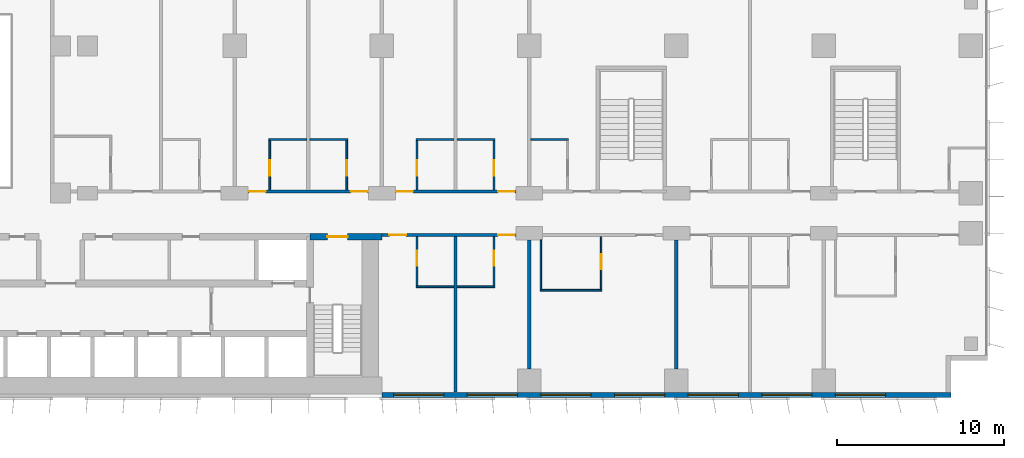
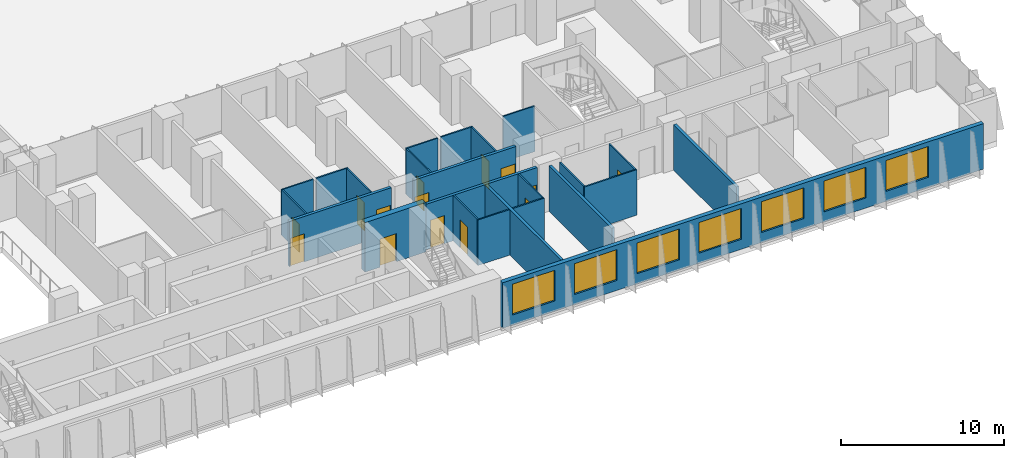
# One storey, part 12 of 23: 24 walls, 14 doors, 7 windows, 21 openings.
"""IFC4 building model written with IfcOpenShell, lengths in metres."""

from ifc_helpers import new_model, si_unit, direction, frame, frame_2d, origin, place, context, subcontext, project, spatial, rectangle, extrude, material, layer, layer_set, type_object, element, fill, save


model = new_model("IFC4")

# Units and contexts
model_context = context("Model", 3, precision=1e-05, world=origin(), true_north=direction((0.0, 1.0)))
body_context = subcontext(model_context, "Body", "Model", "MODEL_VIEW")
ifc_project = project(units=[si_unit("LENGTHUNIT", "METRE"), si_unit("AREAUNIT", "SQUARE_METRE"), si_unit("VOLUMEUNIT", "CUBIC_METRE"), si_unit("PLANEANGLEUNIT", "RADIAN"), si_unit("MASSUNIT", "GRAM", prefix="KILO")], contexts=[model_context])

# Site, building, storey
site_placement = place(None, origin())
site = spatial("IfcSite", under=ifc_project, at=site_placement, CompositionType="ELEMENT")
building_placement = place(site_placement, origin())
building = spatial("IfcBuilding", under=site, at=building_placement, Name="Kemantara Hotel Tower", CompositionType="ELEMENT")
storey_placement = place(building_placement, frame((0.0, 0.0, 34.0)))
storey = spatial("IfcBuildingStorey", under=building, at=storey_placement, Name="L06", CompositionType="ELEMENT", Elevation=34.0)

# Wall, openings, windows
ifc_material_1 = material(Name="Bronze anodised aluminium cladding on insulated steel stud wall", Category="steel")
ifc_layer_1 = layer(ifc_material_1, 0.300048828125)
ifc_layer_set_1 = layer_set([ifc_layer_1], Name="Bronze anodised aluminium cladding on insulated steel stud wall")
wall_type_1 = type_object("IfcWallType", Name="BRONZE METAL-CLAD EXTERNAL WALL 300", PredefinedType="STANDARD", material=ifc_layer_set_1)
wall_1_placement = place(storey_placement, frame((45.0, 0.14990234375, 0.0), z_axis=(0.0, 0.0, 1.0), x_axis=(1.0, 0.0, 0.0)))
wall_1 = element("IfcWall", 1, at=wall_1_placement, inside=storey, type_object=wall_type_1, Name="EXTERNAL WALL L06 T1-R01-3", PredefinedType="STANDARD", context=body_context, shape_type="SweptSolid", body=[
    extrude(rectangle(XDim=34.0, YDim=0.300048828125, at=frame_2d((17.0, 0.0))), origin(), (0.0, 0.0, 1.0), 3.39990234375),
])
opening_1_placement = place(wall_1_placement, frame((0.699951171875, 0.0, 0.75)))
opening_1 = element("IfcOpeningElement", 2, at=opening_1_placement, cuts=wall_1, Name="Opening W1", PredefinedType="OPENING", context=body_context, shape_type="SweptSolid", body=[
    extrude(rectangle(XDim=3.0, YDim=2.300048828125, at=frame_2d((1.5, 1.14990234375))), frame((0.0, 0.159912109375, 0.0), z_axis=(0.0, -1.0, 0.0), x_axis=(1.0, 0.0, 0.0)), (0.0, 0.0, 1.0), 0.320068359375),
])
opening_2_placement = place(wall_1_placement, frame((5.10009765625, 0.0, 0.75)))
opening_2 = element("IfcOpeningElement", 3, at=opening_2_placement, cuts=wall_1, Name="Opening W1", PredefinedType="OPENING", context=body_context, shape_type="SweptSolid", body=[
    extrude(rectangle(XDim=3.0, YDim=2.300048828125, at=frame_2d((1.5, 1.14990234375))), frame((0.0, 0.159912109375, 0.0), z_axis=(0.0, -1.0, 0.0), x_axis=(1.0, 0.0, 0.0)), (0.0, 0.0, 1.0), 0.320068359375),
])
opening_3_placement = place(wall_1_placement, frame((9.5, 0.0, 0.75)))
opening_3 = element("IfcOpeningElement", 4, at=opening_3_placement, cuts=wall_1, Name="Opening W1", PredefinedType="OPENING", context=body_context, shape_type="SweptSolid", body=[
    extrude(rectangle(XDim=3.0, YDim=2.300048828125, at=frame_2d((1.5, 1.14990234375))), frame((0.0, 0.159912109375, 0.0), z_axis=(0.0, -1.0, 0.0), x_axis=(1.0, 0.0, 0.0)), (0.0, 0.0, 1.0), 0.320068359375),
])
opening_4_placement = place(wall_1_placement, frame((13.89990234375, 0.0, 0.75)))
opening_4 = element("IfcOpeningElement", 5, at=opening_4_placement, cuts=wall_1, Name="Opening W1", PredefinedType="OPENING", context=body_context, shape_type="SweptSolid", body=[
    extrude(rectangle(XDim=3.0, YDim=2.300048828125, at=frame_2d((1.5, 1.14990234375))), frame((0.0, 0.159912109375, 0.0), z_axis=(0.0, -1.0, 0.0), x_axis=(1.0, 0.0, 0.0)), (0.0, 0.0, 1.0), 0.320068359375),
])
opening_5_placement = place(wall_1_placement, frame((18.300048828125, 0.0, 0.75)))
opening_5 = element("IfcOpeningElement", 6, at=opening_5_placement, cuts=wall_1, Name="Opening W1", PredefinedType="OPENING", context=body_context, shape_type="SweptSolid", body=[
    extrude(rectangle(XDim=3.0, YDim=2.300048828125, at=frame_2d((1.5, 1.14990234375))), frame((0.0, 0.159912109375, 0.0), z_axis=(0.0, -1.0, 0.0), x_axis=(1.0, 0.0, 0.0)), (0.0, 0.0, 1.0), 0.320068359375),
])
opening_6_placement = place(wall_1_placement, frame((22.699951171875, 0.0, 0.75)))
opening_6 = element("IfcOpeningElement", 7, at=opening_6_placement, cuts=wall_1, Name="Opening W1", PredefinedType="OPENING", context=body_context, shape_type="SweptSolid", body=[
    extrude(rectangle(XDim=3.0, YDim=2.300048828125, at=frame_2d((1.5, 1.14990234375))), frame((0.0, 0.159912109375, 0.0), z_axis=(0.0, -1.0, 0.0), x_axis=(1.0, 0.0, 0.0)), (0.0, 0.0, 1.0), 0.320068359375),
])
opening_7_placement = place(wall_1_placement, frame((27.10009765625, 0.0, 0.75)))
opening_7 = element("IfcOpeningElement", 8, at=opening_7_placement, cuts=wall_1, Name="Opening W1", PredefinedType="OPENING", context=body_context, shape_type="SweptSolid", body=[
    extrude(rectangle(XDim=3.0, YDim=2.300048828125, at=frame_2d((1.5, 1.14990234375))), frame((0.0, 0.159912109375, 0.0), z_axis=(0.0, -1.0, 0.0), x_axis=(1.0, 0.0, 0.0)), (0.0, 0.0, 1.0), 0.320068359375),
])
ifc_material_2 = material(Name="Low-E tinted double insulated glass in bronze anodised aluminium frame", Category="aluminium")
window_type = type_object("IfcWindowType", Name="CHICAGO WINDOW, TRIPLE PANEL 3000x2300", PartitioningType="TRIPLE_PANEL_VERTICAL", PredefinedType="WINDOW", material=ifc_material_2)
window_1_placement = place(opening_1_placement, origin())
window_1 = element("IfcWindow", 9, at=window_1_placement, inside=storey, type_object=window_type, Name="CHICAGO WINDOW L06 T1-R01-450", OverallHeight=2.300048828125, OverallWidth=3.0, PartitioningType="SINGLE_PANEL", PredefinedType="WINDOW", context=body_context, shape_type="SweptSolid", body=[
    extrude(rectangle(XDim=3.0, YDim=2.300048828125, at=frame_2d((1.5, 1.14990234375))), frame((0.0, 0.030029296875, 0.0), z_axis=(0.0, -1.0, 0.0), x_axis=(1.0, 0.0, 0.0)), (0.0, 0.0, 1.0), 0.06005859375),
])
fill(opening_1, window_1)
window_2_placement = place(opening_2_placement, origin())
window_2 = element("IfcWindow", 10, at=window_2_placement, inside=storey, type_object=window_type, Name="CHICAGO WINDOW L06 T1-R01-494", OverallHeight=2.300048828125, OverallWidth=3.0, PartitioningType="SINGLE_PANEL", PredefinedType="WINDOW", context=body_context, shape_type="SweptSolid", body=[
    extrude(rectangle(XDim=3.0, YDim=2.300048828125, at=frame_2d((1.5, 1.14990234375))), frame((0.0, 0.030029296875, 0.0), z_axis=(0.0, -1.0, 0.0), x_axis=(1.0, 0.0, 0.0)), (0.0, 0.0, 1.0), 0.06005859375),
])
fill(opening_2, window_2)
window_3_placement = place(opening_3_placement, origin())
window_3 = element("IfcWindow", 11, at=window_3_placement, inside=storey, type_object=window_type, Name="CHICAGO WINDOW L06 T1-R01-538", OverallHeight=2.300048828125, OverallWidth=3.0, PartitioningType="SINGLE_PANEL", PredefinedType="WINDOW", context=body_context, shape_type="SweptSolid", body=[
    extrude(rectangle(XDim=3.0, YDim=2.300048828125, at=frame_2d((1.5, 1.14990234375))), frame((0.0, 0.030029296875, 0.0), z_axis=(0.0, -1.0, 0.0), x_axis=(1.0, 0.0, 0.0)), (0.0, 0.0, 1.0), 0.06005859375),
])
fill(opening_3, window_3)
window_4_placement = place(opening_4_placement, origin())
window_4 = element("IfcWindow", 12, at=window_4_placement, inside=storey, type_object=window_type, Name="CHICAGO WINDOW L06 T1-R01-582", OverallHeight=2.300048828125, OverallWidth=3.0, PartitioningType="SINGLE_PANEL", PredefinedType="WINDOW", context=body_context, shape_type="SweptSolid", body=[
    extrude(rectangle(XDim=3.0, YDim=2.300048828125, at=frame_2d((1.5, 1.14990234375))), frame((0.0, 0.030029296875, 0.0), z_axis=(0.0, -1.0, 0.0), x_axis=(1.0, 0.0, 0.0)), (0.0, 0.0, 1.0), 0.06005859375),
])
fill(opening_4, window_4)
window_5_placement = place(opening_5_placement, origin())
window_5 = element("IfcWindow", 13, at=window_5_placement, inside=storey, type_object=window_type, Name="CHICAGO WINDOW L06 T1-R01-626", OverallHeight=2.300048828125, OverallWidth=3.0, PartitioningType="SINGLE_PANEL", PredefinedType="WINDOW", context=body_context, shape_type="SweptSolid", body=[
    extrude(rectangle(XDim=3.0, YDim=2.300048828125, at=frame_2d((1.5, 1.14990234375))), frame((0.0, 0.030029296875, 0.0), z_axis=(0.0, -1.0, 0.0), x_axis=(1.0, 0.0, 0.0)), (0.0, 0.0, 1.0), 0.06005859375),
])
fill(opening_5, window_5)
window_6_placement = place(opening_6_placement, origin())
window_6 = element("IfcWindow", 14, at=window_6_placement, inside=storey, type_object=window_type, Name="CHICAGO WINDOW L06 T1-R01-670", OverallHeight=2.300048828125, OverallWidth=3.0, PartitioningType="SINGLE_PANEL", PredefinedType="WINDOW", context=body_context, shape_type="SweptSolid", body=[
    extrude(rectangle(XDim=3.0, YDim=2.300048828125, at=frame_2d((1.5, 1.14990234375))), frame((0.0, 0.030029296875, 0.0), z_axis=(0.0, -1.0, 0.0), x_axis=(1.0, 0.0, 0.0)), (0.0, 0.0, 1.0), 0.06005859375),
])
fill(opening_6, window_6)
window_7_placement = place(opening_7_placement, origin())
window_7 = element("IfcWindow", 15, at=window_7_placement, inside=storey, type_object=window_type, Name="CHICAGO WINDOW L06 T1-R01-714", OverallHeight=2.300048828125, OverallWidth=3.0, PartitioningType="SINGLE_PANEL", PredefinedType="WINDOW", context=body_context, shape_type="SweptSolid", body=[
    extrude(rectangle(XDim=3.0, YDim=2.300048828125, at=frame_2d((1.5, 1.14990234375))), frame((0.0, 0.030029296875, 0.0), z_axis=(0.0, -1.0, 0.0), x_axis=(1.0, 0.0, 0.0)), (0.0, 0.0, 1.0), 0.06005859375),
])
fill(opening_7, window_7)

# Wall, opening, door
ifc_material_3 = material(Name="Concrete fc 70 MPa", Category="concrete")
ifc_layer_2 = layer(ifc_material_3, 0.39990234375)
ifc_layer_set_2 = layer_set([ifc_layer_2], Name="Concrete fc 70 MPa")
wall_type_2 = type_object("IfcWallType", Name="CORE WALL 400 FC70", PredefinedType="SHEAR", material=ifc_layer_set_2)
wall_2_placement = place(storey_placement, frame((40.699951171875, 9.60009765625, 0.0), z_axis=(0.0, 0.0, 1.0), x_axis=(1.0, 0.0, 0.0)))
wall_2 = element("IfcWall", 16, at=wall_2_placement, inside=storey, type_object=wall_type_2, Name="CORE WALL CW-N2", PredefinedType="SHEAR", context=body_context, shape_type="SweptSolid", body=[
    extrude(rectangle(XDim=4.300048828125, YDim=0.39990234375, at=frame_2d((2.14990234375, 0.0))), origin(), (0.0, 0.0, 1.0), 3.699951171875),
])
opening_8_placement = place(wall_2_placement, frame((1.050048828125, 0.0, 0.0)))
opening_8 = element("IfcOpeningElement", 17, at=opening_8_placement, cuts=wall_2, Name="Opening C08-ST2-C", PredefinedType="OPENING", context=body_context, shape_type="SweptSolid", body=[
    extrude(rectangle(XDim=1.199951171875, YDim=2.10009765625, at=frame_2d((0.60009765625, 1.050048828125))), frame((0.0, 0.2099609375, 0.0), z_axis=(0.0, -1.0, 0.0), x_axis=(1.0, 0.0, 0.0)), (0.0, 0.0, 1.0), 0.419921875),
])
ifc_material_4 = material(Name="Steel fire door", Category="steel")
door_type_1 = type_object("IfcDoorType", Name="Fire door FD90 1200 x 2100", OperationType="NOTDEFINED", PredefinedType="DOOR", material=ifc_material_4)
door_1_placement = place(opening_8_placement, frame((1.199951171875, 0.0, 0.0), z_axis=(0.0, 0.0, 1.0), x_axis=(-1.0, 0.0, 0.0)))
door_1 = element("IfcDoor", 18, at=door_1_placement, inside=storey, type_object=door_type_1, Name="Stair ST2 door to corridor", OperationType="SINGLE_SWING_RIGHT", OverallHeight=2.10009765625, OverallWidth=1.199951171875, PredefinedType="DOOR", context=body_context, shape_type="SweptSolid", body=[
    extrude(rectangle(XDim=1.199951171875, YDim=2.10009765625, at=frame_2d((0.60009765625, 1.050048828125))), frame((0.0, 0.02490234375, 0.0), z_axis=(0.0, -1.0, 0.0), x_axis=(1.0, 0.0, 0.0)), (0.0, 0.0, 1.0), 0.050048828125),
])
fill(opening_8, door_1)

# Wall, openings, doors
ifc_material_5 = material(Name="Gypsum board partition, steel studs and mineral wool, 200 mm", Category="steel")
ifc_layer_3 = layer(ifc_material_5, 0.199951171875)
ifc_layer_set_3 = layer_set([ifc_layer_3], Name="Gypsum board partition, steel studs and mineral wool, 200 mm")
wall_type_3 = type_object("IfcWallType", Name="CORRIDOR WALL 200", PredefinedType="PARTITIONING", material=ifc_layer_set_3)
wall_3_placement = place(storey_placement, frame((53.0, 9.699951171875, 0.0), z_axis=(0.0, 0.0, 1.0), x_axis=(-1.0, 0.0, 0.0)))
wall_3 = element("IfcWall", 19, at=wall_3_placement, inside=storey, type_object=wall_type_3, Name="CORRIDOR WALL 200 001", PredefinedType="PARTITIONING", context=body_context, shape_type="SweptSolid", body=[
    extrude(rectangle(XDim=8.0, YDim=0.199951171875, at=frame_2d((4.0, 0.0))), origin(), (0.0, 0.0, 1.0), 3.39990234375),
])
opening_9_placement = place(wall_3_placement, frame((6.5498046875, 0.0, 0.0)))
opening_9 = element("IfcOpeningElement", 20, at=opening_9_placement, cuts=wall_3, Name="Opening F01-001", PredefinedType="OPENING", context=body_context, shape_type="SweptSolid", body=[
    extrude(rectangle(XDim=1.0, YDim=2.10009765625, at=frame_2d((0.5, 1.050048828125))), frame((0.0, 0.10986328125, 0.0), z_axis=(0.0, -1.0, 0.0), x_axis=(1.0, 0.0, 0.0)), (0.0, 0.0, 1.0), 0.219970703125),
])
opening_10_placement = place(wall_3_placement, frame((0.0498046875, 0.0, 0.0)))
opening_10 = element("IfcOpeningElement", 21, at=opening_10_placement, cuts=wall_3, Name="Opening F01-003", PredefinedType="OPENING", context=body_context, shape_type="SweptSolid", body=[
    extrude(rectangle(XDim=1.0, YDim=2.10009765625, at=frame_2d((0.5, 1.050048828125))), frame((0.0, 0.10986328125, 0.0), z_axis=(0.0, -1.0, 0.0), x_axis=(1.0, 0.0, 0.0)), (0.0, 0.0, 1.0), 0.219970703125),
])
ifc_material_6 = material(Name="Hardwood veneer door leaf with steel frame", Category="steel")
door_type_2 = type_object("IfcDoorType", Name="GUEST ROOM DOOR 1000 X 2100 FD30S", OperationType="NOTDEFINED", PredefinedType="DOOR", material=ifc_material_6)
door_2_placement = place(opening_9_placement, origin())
door_2 = element("IfcDoor", 22, at=door_2_placement, inside=storey, type_object=door_type_2, Name="GUEST ROOM DOOR F01-001", OperationType="SINGLE_SWING_RIGHT", OverallHeight=2.10009765625, OverallWidth=1.0, PredefinedType="DOOR", context=body_context, shape_type="SweptSolid", body=[
    extrude(rectangle(XDim=1.0, YDim=2.10009765625, at=frame_2d((0.5, 1.050048828125))), frame((0.0, 0.02490234375, 0.0), z_axis=(0.0, -1.0, 0.0), x_axis=(1.0, 0.0, 0.0)), (0.0, 0.0, 1.0), 0.050048828125),
])
fill(opening_9, door_2)
door_3_placement = place(opening_10_placement, origin())
door_3 = element("IfcDoor", 23, at=door_3_placement, inside=storey, type_object=door_type_2, Name="GUEST ROOM DOOR F01-003", OperationType="SINGLE_SWING_LEFT", OverallHeight=2.10009765625, OverallWidth=1.0, PredefinedType="DOOR", context=body_context, shape_type="SweptSolid", body=[
    extrude(rectangle(XDim=1.0, YDim=2.10009765625, at=frame_2d((0.5, 1.050048828125))), frame((0.0, 0.02490234375, 0.0), z_axis=(0.0, -1.0, 0.0), x_axis=(1.0, 0.0, 0.0)), (0.0, 0.0, 1.0), 0.050048828125),
])
fill(opening_10, door_3)

wall_4_placement = place(storey_placement, frame((37.0, 12.300048828125, 0.0), z_axis=(0.0, 0.0, 1.0), x_axis=(1.0, 0.0, 0.0)))
wall_4 = element("IfcWall", 24, at=wall_4_placement, inside=storey, type_object=wall_type_3, Name="CORRIDOR WALL 200 016", PredefinedType="PARTITIONING", context=body_context, shape_type="SweptSolid", body=[
    extrude(rectangle(XDim=7.199951171875, YDim=0.199951171875, at=frame_2d((3.60009765625, 0.0))), origin(), (0.0, 0.0, 1.0), 3.39990234375),
])
opening_11_placement = place(wall_4_placement, frame((0.0498046875, 0.0, 0.0)))
opening_11 = element("IfcOpeningElement", 25, at=opening_11_placement, cuts=wall_4, Name="Opening F01-017", PredefinedType="OPENING", context=body_context, shape_type="SweptSolid", body=[
    extrude(rectangle(XDim=1.0, YDim=2.10009765625, at=frame_2d((0.5, 1.050048828125))), frame((0.0, 0.10986328125, 0.0), z_axis=(0.0, -1.0, 0.0), x_axis=(1.0, 0.0, 0.0)), (0.0, 0.0, 1.0), 0.219970703125),
])
opening_12_placement = place(wall_4_placement, frame((6.14990234375, 0.0, 0.0)))
opening_12 = element("IfcOpeningElement", 26, at=opening_12_placement, cuts=wall_4, Name="Opening F01-019", PredefinedType="OPENING", context=body_context, shape_type="SweptSolid", body=[
    extrude(rectangle(XDim=1.0, YDim=2.10009765625, at=frame_2d((0.5, 1.050048828125))), frame((0.0, 0.10986328125, 0.0), z_axis=(0.0, -1.0, 0.0), x_axis=(1.0, 0.0, 0.0)), (0.0, 0.0, 1.0), 0.219970703125),
])
door_4_placement = place(opening_11_placement, origin())
door_4 = element("IfcDoor", 27, at=door_4_placement, inside=storey, type_object=door_type_2, Name="GUEST ROOM DOOR F01-017", OperationType="SINGLE_SWING_LEFT", OverallHeight=2.10009765625, OverallWidth=1.0, PredefinedType="DOOR", context=body_context, shape_type="SweptSolid", body=[
    extrude(rectangle(XDim=1.0, YDim=2.10009765625, at=frame_2d((0.5, 1.050048828125))), frame((0.0, 0.02490234375, 0.0), z_axis=(0.0, -1.0, 0.0), x_axis=(1.0, 0.0, 0.0)), (0.0, 0.0, 1.0), 0.050048828125),
])
fill(opening_11, door_4)
door_5_placement = place(opening_12_placement, origin())
door_5 = element("IfcDoor", 28, at=door_5_placement, inside=storey, type_object=door_type_2, Name="GUEST ROOM DOOR F01-019", OperationType="SINGLE_SWING_RIGHT", OverallHeight=2.10009765625, OverallWidth=1.0, PredefinedType="DOOR", context=body_context, shape_type="SweptSolid", body=[
    extrude(rectangle(XDim=1.0, YDim=2.10009765625, at=frame_2d((0.5, 1.050048828125))), frame((0.0, 0.02490234375, 0.0), z_axis=(0.0, -1.0, 0.0), x_axis=(1.0, 0.0, 0.0)), (0.0, 0.0, 1.0), 0.050048828125),
])
fill(opening_12, door_5)

wall_5_placement = place(storey_placement, frame((45.800048828125, 12.300048828125, 0.0), z_axis=(0.0, 0.0, 1.0), x_axis=(1.0, 0.0, 0.0)))
wall_5 = element("IfcWall", 29, at=wall_5_placement, inside=storey, type_object=wall_type_3, Name="CORRIDOR WALL 200 017", PredefinedType="PARTITIONING", context=body_context, shape_type="SweptSolid", body=[
    extrude(rectangle(XDim=7.199951171875, YDim=0.199951171875, at=frame_2d((3.60009765625, 0.0))), origin(), (0.0, 0.0, 1.0), 3.39990234375),
])
opening_13_placement = place(wall_5_placement, frame((0.0498046875, 0.0, 0.0)))
opening_13 = element("IfcOpeningElement", 30, at=opening_13_placement, cuts=wall_5, Name="Opening F01-021", PredefinedType="OPENING", context=body_context, shape_type="SweptSolid", body=[
    extrude(rectangle(XDim=1.0, YDim=2.10009765625, at=frame_2d((0.5, 1.050048828125))), frame((0.0, 0.10986328125, 0.0), z_axis=(0.0, -1.0, 0.0), x_axis=(1.0, 0.0, 0.0)), (0.0, 0.0, 1.0), 0.219970703125),
])
opening_14_placement = place(wall_5_placement, frame((6.14990234375, 0.0, 0.0)))
opening_14 = element("IfcOpeningElement", 31, at=opening_14_placement, cuts=wall_5, Name="Opening F01-023", PredefinedType="OPENING", context=body_context, shape_type="SweptSolid", body=[
    extrude(rectangle(XDim=1.0, YDim=2.10009765625, at=frame_2d((0.5, 1.050048828125))), frame((0.0, 0.10986328125, 0.0), z_axis=(0.0, -1.0, 0.0), x_axis=(1.0, 0.0, 0.0)), (0.0, 0.0, 1.0), 0.219970703125),
])
door_6_placement = place(opening_13_placement, origin())
door_6 = element("IfcDoor", 32, at=door_6_placement, inside=storey, type_object=door_type_2, Name="GUEST ROOM DOOR F01-021", OperationType="SINGLE_SWING_LEFT", OverallHeight=2.10009765625, OverallWidth=1.0, PredefinedType="DOOR", context=body_context, shape_type="SweptSolid", body=[
    extrude(rectangle(XDim=1.0, YDim=2.10009765625, at=frame_2d((0.5, 1.050048828125))), frame((0.0, 0.02490234375, 0.0), z_axis=(0.0, -1.0, 0.0), x_axis=(1.0, 0.0, 0.0)), (0.0, 0.0, 1.0), 0.050048828125),
])
fill(opening_13, door_6)
door_7_placement = place(opening_14_placement, origin())
door_7 = element("IfcDoor", 33, at=door_7_placement, inside=storey, type_object=door_type_2, Name="GUEST ROOM DOOR F01-023", OperationType="SINGLE_SWING_RIGHT", OverallHeight=2.10009765625, OverallWidth=1.0, PredefinedType="DOOR", context=body_context, shape_type="SweptSolid", body=[
    extrude(rectangle(XDim=1.0, YDim=2.10009765625, at=frame_2d((0.5, 1.050048828125))), frame((0.0, 0.02490234375, 0.0), z_axis=(0.0, -1.0, 0.0), x_axis=(1.0, 0.0, 0.0)), (0.0, 0.0, 1.0), 0.050048828125),
])
fill(opening_14, door_7)

# Walls
ifc_layer_4 = layer(ifc_material_5, 0.199951171875)
ifc_layer_set_4 = layer_set([ifc_layer_4], Name="Gypsum board partition, steel studs and mineral wool, 200 mm")
wall_type_4 = type_object("IfcWallType", Name="GUEST ROOM PARTY WALL 200", PredefinedType="PARTITIONING", material=ifc_layer_set_4)
wall_6_placement = place(storey_placement, frame((49.39990234375, 0.31005859375, 0.0), z_axis=(0.0, 0.0, 1.0), x_axis=(0.0, 1.0, 0.0)))
element("IfcWall", 34, at=wall_6_placement, inside=storey, type_object=wall_type_4, Name="GUEST ROOM PARTY WALL 200 005", PredefinedType="PARTITIONING", context=body_context, shape_type="SweptSolid", body=[
    extrude(rectangle(XDim=9.2900390625, YDim=0.199951171875, at=frame_2d((4.64501953125, 0.0))), origin(), (0.0, 0.0, 1.0), 3.39990234375),
])
for number, where, z_axis, x_axis, name in (
    (35, (53.800048828125, 1.7001953125, 0.0), (0.0, 0.0, 1.0), (0.0, 1.0, 0.0), "GUEST ROOM PARTY WALL 200 007"),
    (36, (62.60009765625, 1.7001953125, 0.0), (0.0, 0.0, 1.0), (0.0, 1.0, 0.0), "GUEST ROOM PARTY WALL 200 010"),
):
    element("IfcWall", number, at=place(storey_placement, frame(where, z_axis=z_axis, x_axis=x_axis)), inside=storey, type_object=wall_type_4, Name=name, PredefinedType="PARTITIONING", context=body_context, shape_type="SweptSolid", body=[
        extrude(rectangle(XDim=7.69970703125, YDim=0.199951171875, at=frame_2d((3.849853515625, 0.0))), origin(), (0.0, 0.0, 1.0), 3.39990234375),
    ])
ifc_material_7 = material(Name="Gypsum board partition on steel studs, 100 mm", Category="steel")
ifc_layer_5 = layer(ifc_material_7, 0.10009765625)
ifc_layer_set_5 = layer_set([ifc_layer_5], Name="Gypsum board partition on steel studs, 100 mm")
wall_type_5 = type_object("IfcWallType", Name="ROOM PARTITION 100", PredefinedType="PARTITIONING", material=ifc_layer_set_5)
for number, where, z_axis, x_axis, name in (
    (37, (47.050048828125, 6.60009765625, 0.0), (0.0, 0.0, 1.0), (1.0, 0.0, 0.0), "ROOM PARTITION 100 071"),
    (38, (49.5, 6.60009765625, 0.0), (0.0, 0.0, 1.0), (1.0, 0.0, 0.0), "ROOM PARTITION 100 072"),
):
    element("IfcWall", number, at=place(storey_placement, frame(where, z_axis=z_axis, x_axis=x_axis)), inside=storey, type_object=wall_type_5, Name=name, PredefinedType="PARTITIONING", context=body_context, shape_type="SweptSolid", body=[
        extrude(rectangle(XDim=2.25, YDim=0.10009765625, at=frame_2d((1.125, 0.0))), origin(), (0.0, 0.0, 1.0), 3.39990234375),
    ])

# Wall, opening, door
wall_7_placement = place(storey_placement, frame((47.10009765625, 9.60009765625, 0.0), z_axis=(0.0, 0.0, 1.0), x_axis=(0.0, -1.0, 0.0)))
wall_7 = element("IfcWall", 39, at=wall_7_placement, inside=storey, type_object=wall_type_5, Name="ROOM PARTITION 100 075", PredefinedType="PARTITIONING", context=body_context, shape_type="SweptSolid", body=[
    extrude(rectangle(XDim=2.9501953125, YDim=0.10009765625, at=frame_2d((1.47509765625, 0.0))), origin(), (0.0, 0.0, 1.0), 3.39990234375),
])
opening_15_placement = place(wall_7_placement, frame((0.85009765625, 0.0, 0.0)))
opening_15 = element("IfcOpeningElement", 40, at=opening_15_placement, cuts=wall_7, Name="Opening F01-002", PredefinedType="OPENING", context=body_context, shape_type="SweptSolid", body=[
    extrude(rectangle(XDim=0.89990234375, YDim=2.10009765625, at=frame_2d((0.449951171875, 1.050048828125))), frame((0.0, 0.06005859375, 0.0), z_axis=(0.0, -1.0, 0.0), x_axis=(1.0, 0.0, 0.0)), (0.0, 0.0, 1.0), 0.1201171875),
])
door_type_3 = type_object("IfcDoorType", Name="BATHROOM DOOR 900 X 2100", OperationType="NOTDEFINED", PredefinedType="DOOR", material=ifc_material_6)
door_8_placement = place(opening_15_placement, origin())
door_8 = element("IfcDoor", 41, at=door_8_placement, inside=storey, type_object=door_type_3, Name="BATHROOM DOOR F01-002", OperationType="SINGLE_SWING_LEFT", OverallHeight=2.10009765625, OverallWidth=0.89990234375, PredefinedType="DOOR", context=body_context, shape_type="SweptSolid", body=[
    extrude(rectangle(XDim=0.89990234375, YDim=2.10009765625, at=frame_2d((0.449951171875, 1.050048828125))), frame((0.0, 0.02490234375, 0.0), z_axis=(0.0, -1.0, 0.0), x_axis=(1.0, 0.0, 0.0)), (0.0, 0.0, 1.0), 0.050048828125),
])
fill(opening_15, door_8)

wall_8_placement = place(storey_placement, frame((47.10009765625, 15.35009765625, 0.0), z_axis=(0.0, 0.0, 1.0), x_axis=(0.0, -1.0, 0.0)))
wall_8 = element("IfcWall", 42, at=wall_8_placement, inside=storey, type_object=wall_type_5, Name="ROOM PARTITION 100 076", PredefinedType="PARTITIONING", context=body_context, shape_type="SweptSolid", body=[
    extrude(rectangle(XDim=2.9501953125, YDim=0.10009765625, at=frame_2d((1.47509765625, 0.0))), origin(), (0.0, 0.0, 1.0), 3.39990234375),
])
opening_16_placement = place(wall_8_placement, frame((1.199951171875, 0.0, 0.0)))
opening_16 = element("IfcOpeningElement", 43, at=opening_16_placement, cuts=wall_8, Name="Opening F01-022", PredefinedType="OPENING", context=body_context, shape_type="SweptSolid", body=[
    extrude(rectangle(XDim=0.89990234375, YDim=2.10009765625, at=frame_2d((0.449951171875, 1.050048828125))), frame((0.0, 0.06005859375, 0.0), z_axis=(0.0, -1.0, 0.0), x_axis=(1.0, 0.0, 0.0)), (0.0, 0.0, 1.0), 0.1201171875),
])
door_9_placement = place(opening_16_placement, origin())
door_9 = element("IfcDoor", 44, at=door_9_placement, inside=storey, type_object=door_type_3, Name="BATHROOM DOOR F01-022", OperationType="SINGLE_SWING_RIGHT", OverallHeight=2.10009765625, OverallWidth=0.89990234375, PredefinedType="DOOR", context=body_context, shape_type="SweptSolid", body=[
    extrude(rectangle(XDim=0.89990234375, YDim=2.10009765625, at=frame_2d((0.449951171875, 1.050048828125))), frame((0.0, 0.02490234375, 0.0), z_axis=(0.0, -1.0, 0.0), x_axis=(1.0, 0.0, 0.0)), (0.0, 0.0, 1.0), 0.050048828125),
])
fill(opening_16, door_9)

wall_9_placement = place(storey_placement, frame((51.699951171875, 6.64990234375, 0.0), z_axis=(0.0, 0.0, 1.0), x_axis=(0.0, 1.0, 0.0)))
wall_9 = element("IfcWall", 45, at=wall_9_placement, inside=storey, type_object=wall_type_5, Name="ROOM PARTITION 100 077", PredefinedType="PARTITIONING", context=body_context, shape_type="SweptSolid", body=[
    extrude(rectangle(XDim=2.9501953125, YDim=0.10009765625, at=frame_2d((1.47509765625, 0.0))), origin(), (0.0, 0.0, 1.0), 3.39990234375),
])
opening_17_placement = place(wall_9_placement, frame((1.199951171875, 0.0, 0.0)))
opening_17 = element("IfcOpeningElement", 46, at=opening_17_placement, cuts=wall_9, Name="Opening F01-004", PredefinedType="OPENING", context=body_context, shape_type="SweptSolid", body=[
    extrude(rectangle(XDim=0.89990234375, YDim=2.10009765625, at=frame_2d((0.449951171875, 1.050048828125))), frame((0.0, 0.06005859375, 0.0), z_axis=(0.0, -1.0, 0.0), x_axis=(1.0, 0.0, 0.0)), (0.0, 0.0, 1.0), 0.1201171875),
])
door_10_placement = place(opening_17_placement, origin())
door_10 = element("IfcDoor", 47, at=door_10_placement, inside=storey, type_object=door_type_3, Name="BATHROOM DOOR F01-004", OperationType="SINGLE_SWING_RIGHT", OverallHeight=2.10009765625, OverallWidth=0.89990234375, PredefinedType="DOOR", context=body_context, shape_type="SweptSolid", body=[
    extrude(rectangle(XDim=0.89990234375, YDim=2.10009765625, at=frame_2d((0.449951171875, 1.050048828125))), frame((0.0, 0.02490234375, 0.0), z_axis=(0.0, -1.0, 0.0), x_axis=(1.0, 0.0, 0.0)), (0.0, 0.0, 1.0), 0.050048828125),
])
fill(opening_17, door_10)

wall_10_placement = place(storey_placement, frame((51.699951171875, 12.39990234375, 0.0), z_axis=(0.0, 0.0, 1.0), x_axis=(0.0, 1.0, 0.0)))
wall_10 = element("IfcWall", 48, at=wall_10_placement, inside=storey, type_object=wall_type_5, Name="ROOM PARTITION 100 078", PredefinedType="PARTITIONING", context=body_context, shape_type="SweptSolid", body=[
    extrude(rectangle(XDim=2.9501953125, YDim=0.10009765625, at=frame_2d((1.47509765625, 0.0))), origin(), (0.0, 0.0, 1.0), 3.39990234375),
])
opening_18_placement = place(wall_10_placement, frame((0.85009765625, 0.0, 0.0)))
opening_18 = element("IfcOpeningElement", 49, at=opening_18_placement, cuts=wall_10, Name="Opening F01-024", PredefinedType="OPENING", context=body_context, shape_type="SweptSolid", body=[
    extrude(rectangle(XDim=0.89990234375, YDim=2.10009765625, at=frame_2d((0.449951171875, 1.050048828125))), frame((0.0, 0.06005859375, 0.0), z_axis=(0.0, -1.0, 0.0), x_axis=(1.0, 0.0, 0.0)), (0.0, 0.0, 1.0), 0.1201171875),
])
door_11_placement = place(opening_18_placement, origin())
door_11 = element("IfcDoor", 50, at=door_11_placement, inside=storey, type_object=door_type_3, Name="BATHROOM DOOR F01-024", OperationType="SINGLE_SWING_LEFT", OverallHeight=2.10009765625, OverallWidth=0.89990234375, PredefinedType="DOOR", context=body_context, shape_type="SweptSolid", body=[
    extrude(rectangle(XDim=0.89990234375, YDim=2.10009765625, at=frame_2d((0.449951171875, 1.050048828125))), frame((0.0, 0.02490234375, 0.0), z_axis=(0.0, -1.0, 0.0), x_axis=(1.0, 0.0, 0.0)), (0.0, 0.0, 1.0), 0.050048828125),
])
fill(opening_18, door_11)

# Walls
wall_11_placement = place(storey_placement, frame((54.449951171875, 6.39990234375, 0.0), z_axis=(0.0, 0.0, 1.0), x_axis=(1.0, 0.0, 0.0)))
element("IfcWall", 51, at=wall_11_placement, inside=storey, type_object=wall_type_5, Name="ROOM PARTITION 100 079", PredefinedType="PARTITIONING", context=body_context, shape_type="SweptSolid", body=[
    extrude(rectangle(XDim=3.699951171875, YDim=0.10009765625, at=frame_2d((1.85009765625, 0.0))), origin(), (0.0, 0.0, 1.0), 3.39990234375),
])
wall_12_placement = place(storey_placement, frame((54.5, 6.449951171875, 0.0), z_axis=(0.0, 0.0, 1.0), x_axis=(0.0, 1.0, 0.0)))
element("IfcWall", 52, at=wall_12_placement, inside=storey, type_object=wall_type_5, Name="ROOM PARTITION 100 080", PredefinedType="PARTITIONING", context=body_context, shape_type="SweptSolid", body=[
    extrude(rectangle(XDim=2.949951171875, YDim=0.10009765625, at=frame_2d((1.47509765625, 0.0))), origin(), (0.0, 0.0, 1.0), 3.39990234375),
])

# Wall, opening, door
wall_13_placement = place(storey_placement, frame((58.10009765625, 6.449951171875, 0.0), z_axis=(0.0, 0.0, 1.0), x_axis=(0.0, 1.0, 0.0)))
wall_13 = element("IfcWall", 53, at=wall_13_placement, inside=storey, type_object=wall_type_5, Name="ROOM PARTITION 100 081", PredefinedType="PARTITIONING", context=body_context, shape_type="SweptSolid", body=[
    extrude(rectangle(XDim=3.150146484375, YDim=0.10009765625, at=frame_2d((1.5751953125, 0.0))), origin(), (0.0, 0.0, 1.0), 3.39990234375),
])
opening_19_placement = place(wall_13_placement, frame((1.199951171875, 0.0, 0.0)))
opening_19 = element("IfcOpeningElement", 54, at=opening_19_placement, cuts=wall_13, Name="Opening F01-006", PredefinedType="OPENING", context=body_context, shape_type="SweptSolid", body=[
    extrude(rectangle(XDim=0.89990234375, YDim=2.10009765625, at=frame_2d((0.449951171875, 1.050048828125))), frame((0.0, 0.06005859375, 0.0), z_axis=(0.0, -1.0, 0.0), x_axis=(1.0, 0.0, 0.0)), (0.0, 0.0, 1.0), 0.1201171875),
])
door_12_placement = place(opening_19_placement, origin())
door_12 = element("IfcDoor", 55, at=door_12_placement, inside=storey, type_object=door_type_3, Name="BATHROOM DOOR F01-006", OperationType="SINGLE_SWING_RIGHT", OverallHeight=2.10009765625, OverallWidth=0.89990234375, PredefinedType="DOOR", context=body_context, shape_type="SweptSolid", body=[
    extrude(rectangle(XDim=0.89990234375, YDim=2.10009765625, at=frame_2d((0.449951171875, 1.050048828125))), frame((0.0, 0.02490234375, 0.0), z_axis=(0.0, -1.0, 0.0), x_axis=(1.0, 0.0, 0.0)), (0.0, 0.0, 1.0), 0.050048828125),
])
fill(opening_19, door_12)

# Walls
for number, where, z_axis, x_axis, name in (
    (56, (38.25, 15.39990234375, 0.0), (0.0, 0.0, 1.0), (1.0, 0.0, 0.0), "ROOM PARTITION 100 092"),
    (57, (40.699951171875, 15.39990234375, 0.0), (0.0, 0.0, 1.0), (1.0, 0.0, 0.0), "ROOM PARTITION 100 093"),
    (58, (47.050048828125, 15.39990234375, 0.0), (0.0, 0.0, 1.0), (1.0, 0.0, 0.0), "ROOM PARTITION 100 094"),
    (59, (49.5, 15.39990234375, 0.0), (0.0, 0.0, 1.0), (1.0, 0.0, 0.0), "ROOM PARTITION 100 095"),
    (60, (53.89990234375, 15.39990234375, 0.0), (0.0, 0.0, 1.0), (1.0, 0.0, 0.0), "ROOM PARTITION 100 096"),
):
    element("IfcWall", number, at=place(storey_placement, frame(where, z_axis=z_axis, x_axis=x_axis)), inside=storey, type_object=wall_type_5, Name=name, PredefinedType="PARTITIONING", context=body_context, shape_type="SweptSolid", body=[
        extrude(rectangle(XDim=2.25, YDim=0.10009765625, at=frame_2d((1.125, 0.0))), origin(), (0.0, 0.0, 1.0), 3.39990234375),
    ])

# Wall, opening, door
wall_14_placement = place(storey_placement, frame((38.300048828125, 15.35009765625, 0.0), z_axis=(0.0, 0.0, 1.0), x_axis=(0.0, -1.0, 0.0)))
wall_14 = element("IfcWall", 61, at=wall_14_placement, inside=storey, type_object=wall_type_5, Name="ROOM PARTITION 100 100", PredefinedType="PARTITIONING", context=body_context, shape_type="SweptSolid", body=[
    extrude(rectangle(XDim=2.9501953125, YDim=0.10009765625, at=frame_2d((1.47509765625, 0.0))), origin(), (0.0, 0.0, 1.0), 3.39990234375),
])
opening_20_placement = place(wall_14_placement, frame((1.199951171875, 0.0, 0.0)))
opening_20 = element("IfcOpeningElement", 62, at=opening_20_placement, cuts=wall_14, Name="Opening F01-018", PredefinedType="OPENING", context=body_context, shape_type="SweptSolid", body=[
    extrude(rectangle(XDim=0.89990234375, YDim=2.10009765625, at=frame_2d((0.449951171875, 1.050048828125))), frame((0.0, 0.06005859375, 0.0), z_axis=(0.0, -1.0, 0.0), x_axis=(1.0, 0.0, 0.0)), (0.0, 0.0, 1.0), 0.1201171875),
])
door_13_placement = place(opening_20_placement, origin())
door_13 = element("IfcDoor", 63, at=door_13_placement, inside=storey, type_object=door_type_3, Name="BATHROOM DOOR F01-018", OperationType="SINGLE_SWING_RIGHT", OverallHeight=2.10009765625, OverallWidth=0.89990234375, PredefinedType="DOOR", context=body_context, shape_type="SweptSolid", body=[
    extrude(rectangle(XDim=0.89990234375, YDim=2.10009765625, at=frame_2d((0.449951171875, 1.050048828125))), frame((0.0, 0.02490234375, 0.0), z_axis=(0.0, -1.0, 0.0), x_axis=(1.0, 0.0, 0.0)), (0.0, 0.0, 1.0), 0.050048828125),
])
fill(opening_20, door_13)

wall_15_placement = place(storey_placement, frame((42.89990234375, 12.39990234375, 0.0), z_axis=(0.0, 0.0, 1.0), x_axis=(0.0, 1.0, 0.0)))
wall_15 = element("IfcWall", 64, at=wall_15_placement, inside=storey, type_object=wall_type_5, Name="ROOM PARTITION 100 101", PredefinedType="PARTITIONING", context=body_context, shape_type="SweptSolid", body=[
    extrude(rectangle(XDim=2.9501953125, YDim=0.10009765625, at=frame_2d((1.47509765625, 0.0))), origin(), (0.0, 0.0, 1.0), 3.39990234375),
])
opening_21_placement = place(wall_15_placement, frame((0.85009765625, 0.0, 0.0)))
opening_21 = element("IfcOpeningElement", 65, at=opening_21_placement, cuts=wall_15, Name="Opening F01-020", PredefinedType="OPENING", context=body_context, shape_type="SweptSolid", body=[
    extrude(rectangle(XDim=0.89990234375, YDim=2.10009765625, at=frame_2d((0.449951171875, 1.050048828125))), frame((0.0, 0.06005859375, 0.0), z_axis=(0.0, -1.0, 0.0), x_axis=(1.0, 0.0, 0.0)), (0.0, 0.0, 1.0), 0.1201171875),
])
door_14_placement = place(opening_21_placement, origin())
door_14 = element("IfcDoor", 66, at=door_14_placement, inside=storey, type_object=door_type_3, Name="BATHROOM DOOR F01-020", OperationType="SINGLE_SWING_LEFT", OverallHeight=2.10009765625, OverallWidth=0.89990234375, PredefinedType="DOOR", context=body_context, shape_type="SweptSolid", body=[
    extrude(rectangle(XDim=0.89990234375, YDim=2.10009765625, at=frame_2d((0.449951171875, 1.050048828125))), frame((0.0, 0.02490234375, 0.0), z_axis=(0.0, -1.0, 0.0), x_axis=(1.0, 0.0, 0.0)), (0.0, 0.0, 1.0), 0.050048828125),
])
fill(opening_21, door_14)

save(model, "model.ifc")
